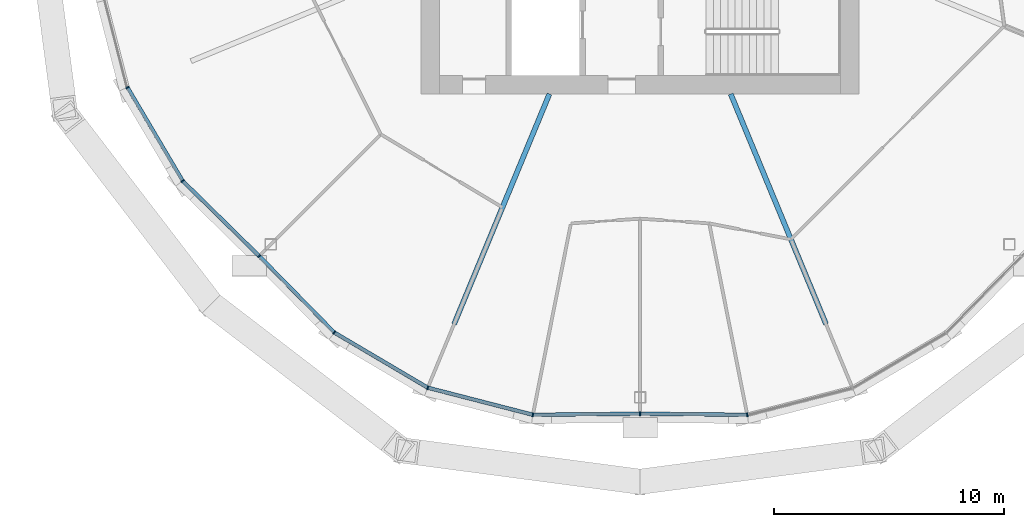
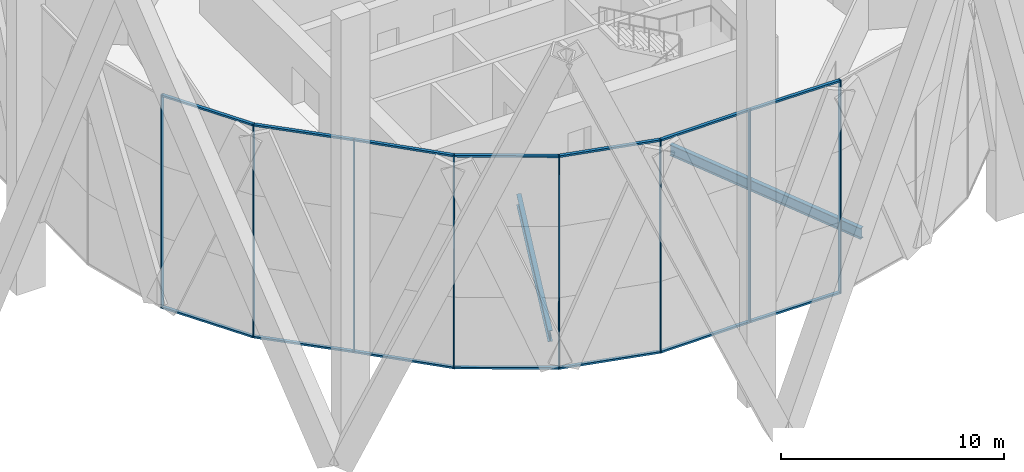
# One storey, part 3 of 26: 22 members, 2 beams, 3 elements without a shape of their own.
"""IFC4 building model written with IfcOpenShell, lengths in metres."""

import ifcopenshell
import ifcopenshell.guid

model = None  # the IFC model being written
_history = None  # IfcOwnerHistory: only IFC2X3 demands one
_inside = {}  # id of a spatial element -> (the spatial element, [elements in it])
_under = {}  # id of a project, library or spatial element -> (it, [spatial elements below it])
_declared = {}  # id of a project -> (the project, [libraries it declares])
_typed = {}  # id of a type object -> (the type object, [elements of that type])
_made_of = {}  # id of a material, layer set ... -> (it, [elements and type objects made of it])


def new_model(schema):
    """Start an empty IFC model of exactly this schema.

    Asked for "IFC4X3", IfcOpenShell would pick the latest addendum, in which some entities
    have other attributes; the version numbers below select the first issue.
    IFC2X3 requires an IfcOwnerHistory on every rooted entity: one is made here for all.
    """
    global model, _history
    if schema == "IFC4X3":
        model = ifcopenshell.file(schema_version=(4, 3, 0, 0))
    else:
        model = ifcopenshell.file(schema=schema)
    _inside.clear()
    _under.clear()
    _declared.clear()
    _typed.clear()
    _made_of.clear()
    _history = None
    if model.schema == "IFC2X3":
        org = make("IfcOrganization", Name="unknown")
        user = make(
            "IfcPersonAndOrganization",
            ThePerson=make("IfcPerson", FamilyName="unknown"),
            TheOrganization=org,
        )
        app = make(
            "IfcApplication",
            ApplicationDeveloper=org,
            Version="unknown",
            ApplicationFullName="unknown",
            ApplicationIdentifier="unknown",
        )
        _history = make(
            "IfcOwnerHistory",
            OwningUser=user,
            OwningApplication=app,
            ChangeAction="ADDED",
            CreationDate=0,
        )
    return model


def make(cls, **values):
    """One entity of the class cls with the attributes given. An attribute that is None is left unset."""
    return model.create_entity(
        cls, **{name: value for name, value in values.items() if value is not None}
    )


def rooted(cls, **values):
    """An entity with a GlobalId (a new one), such as an element, a storey or a relation."""
    return make(cls, GlobalId=ifcopenshell.guid.new(), OwnerHistory=_history, **values)


def si_unit(unit_type, name, prefix=None):
    """IfcSIUnit, for example si_unit("LENGTHUNIT", "METRE", prefix="MILLI")."""
    return make("IfcSIUnit", UnitType=unit_type, Prefix=prefix, Name=name)


def assignment(units):
    """IfcUnitAssignment: the units of a project."""
    return None if units is None else make("IfcUnitAssignment", Units=units)


def point(xyz):
    """IfcCartesianPoint."""
    return None if xyz is None else make("IfcCartesianPoint", Coordinates=xyz)


def direction(xyz):
    """IfcDirection."""
    return None if xyz is None else make("IfcDirection", DirectionRatios=xyz)


def frame(location, z_axis=None, x_axis=None):
    """IfcAxis2Placement3D, a coordinate frame: its origin and axes. An axis left out is left unset."""
    return make(
        "IfcAxis2Placement3D",
        Location=point(location),
        Axis=direction(z_axis),
        RefDirection=direction(x_axis),
    )


def frame_2d(location, x_axis=None):
    """IfcAxis2Placement2D, a coordinate frame in the plane: its origin and x axis."""
    return make(
        "IfcAxis2Placement2D", Location=point(location), RefDirection=direction(x_axis)
    )


def origin():
    """The frame at (0, 0, 0) with its axes left unset."""
    return frame((0.0, 0.0, 0.0))


def origin_2d():
    """The frame at (0, 0) in the plane with its x axis left unset."""
    return frame_2d((0.0, 0.0))


def place(relative_to, where):
    """IfcLocalPlacement: puts the frame where relative to a parent placement (None: the world)."""
    return make(
        "IfcLocalPlacement", PlacementRelTo=relative_to, RelativePlacement=where
    )


def context(
    kind, dimensions, precision=None, world=None, true_north=None, identifier=None
):
    """IfcGeometricRepresentationContext, for example the 3D "Model" context."""
    return make(
        "IfcGeometricRepresentationContext",
        ContextIdentifier=identifier,
        ContextType=kind,
        CoordinateSpaceDimension=dimensions,
        Precision=precision,
        WorldCoordinateSystem=world,
        TrueNorth=true_north,
    )


def subcontext(parent, identifier, kind, view, scale=None):
    """IfcGeometricRepresentationSubContext, for example "Body" below "Model"."""
    return make(
        "IfcGeometricRepresentationSubContext",
        ContextIdentifier=identifier,
        ContextType=kind,
        ParentContext=parent,
        TargetScale=scale,
        TargetView=view,
    )


def project(units=None, contexts=None):
    """IfcProject with its units and contexts."""
    return rooted(
        "IfcProject",
        Name="project",
        RepresentationContexts=contexts,
        UnitsInContext=assignment(units),
    )


def spatial(cls, under=None, at=None, **own):
    """A site, building, storey or space (cls), placed at a placement, below another one or the project."""
    s = rooted(cls, ObjectPlacement=at, **own)
    if under is not None:
        _under.setdefault(under.id(), (under, []))[1].append(s)
    return s


def profile(cls, at=None, kind="AREA", **sizes):
    """A parametric profile (cls). Its sizes go by their IFC names, for example OverallWidth=200.0."""
    return make(cls, ProfileType=kind, Position=at, **sizes)


def rectangle(**sizes):
    """IfcRectangleProfileDef."""
    return profile("IfcRectangleProfileDef", **sizes)


def i_section(**sizes):
    """IfcIShapeProfileDef."""
    return profile("IfcIShapeProfileDef", **sizes)


def extrude(swept, where, along, depth):
    """IfcExtrudedAreaSolid: the profile swept, set in the frame where, extruded along a direction by depth."""
    return make(
        "IfcExtrudedAreaSolid",
        SweptArea=swept,
        Position=where,
        ExtrudedDirection=direction(along),
        Depth=depth,
    )


def shape(context_of_items, identifier, shape_type, items):
    """IfcShapeRepresentation: the items that make up one representation, for example the "Body"."""
    return make(
        "IfcShapeRepresentation",
        ContextOfItems=context_of_items,
        RepresentationIdentifier=identifier,
        RepresentationType=shape_type,
        Items=items,
    )


def material(Name=None, Category=None):
    """IfcMaterial."""
    return make("IfcMaterial", Name=Name, Category=Category)


def material_profile(
    of_material, cross_section, Name=None, Category=None, Priority=None
):
    """IfcMaterialProfile: a cross section and its material."""
    return make(
        "IfcMaterialProfile",
        Name=Name,
        Material=of_material,
        Profile=cross_section,
        Priority=Priority,
        Category=Category,
    )


def profile_set(profiles, Name=None, composite=None):
    """IfcMaterialProfileSet."""
    return make(
        "IfcMaterialProfileSet",
        Name=Name,
        MaterialProfiles=profiles,
        CompositeProfile=composite,
    )


def made_of(thing, what):
    """Note that an element or type object is made of a material, layer set ...; save() writes the relation."""
    if what is not None:
        _made_of.setdefault(what.id(), (what, []))[1].append(thing)
    return thing


def type_object(cls, material=None, **own):
    """A type object (cls), such as IfcWallType, which elements share."""
    return made_of(rooted(cls, **own), material)


def element(
    cls,
    number,
    at=None,
    inside=None,
    cuts=None,
    type_object=None,
    material=None,
    context=None,
    identifier="Body",
    shape_type=None,
    held_by="IfcProductDefinitionShape",
    body=None,
    shapes=None,
    **own,
):
    """One element of the class cls, such as IfcWall. Its Tag is "e" and its number.

    at: its placement. inside: the storey or other place that contains it. cuts: it is an
    opening in that element (IfcRelVoidsElement). A single representation is given by context,
    identifier, shape_type and body (its items); several are given by shapes. held_by: the class
    of the entity that holds the representations. save() writes the other relations.
    """
    e = rooted(cls, Tag="e%d" % number, ObjectPlacement=at, **own)
    if body is not None:
        shapes = [shape(context, identifier, shape_type, body)]
    if shapes is not None:
        e.Representation = make(held_by, Representations=shapes)
    if inside is not None:
        _inside.setdefault(inside.id(), (inside, []))[1].append(e)
    if cuts is not None:
        rooted(
            "IfcRelVoidsElement", RelatingBuildingElement=cuts, RelatedOpeningElement=e
        )
    if type_object is not None:
        _typed.setdefault(type_object.id(), (type_object, []))[1].append(e)
    return made_of(e, material)


def aggregate(whole, parts):
    """IfcRelAggregates: a whole, such as a stair, and the parts it consists of."""
    return rooted("IfcRelAggregates", RelatingObject=whole, RelatedObjects=parts)


def save(model, path):
    """Write the relations noted so far, then the file.

    IfcRelAggregates (storeys below a building ...), IfcRelContainedInSpatialStructure (elements
    in a storey), IfcRelDefinesByType, IfcRelAssociatesMaterial and IfcRelDeclares: one each for
    every whole, place, type object, material and project.
    """
    for whole, parts in _under.values():
        aggregate(whole, parts)
    for where, things in _inside.values():
        rooted(
            "IfcRelContainedInSpatialStructure",
            RelatedElements=things,
            RelatingStructure=where,
        )
    for kind, things in _typed.values():
        rooted("IfcRelDefinesByType", RelatedObjects=things, RelatingType=kind)
    for what, things in _made_of.values():
        rooted("IfcRelAssociatesMaterial", RelatedObjects=things, RelatingMaterial=what)
    for by, libraries in _declared.values():
        rooted("IfcRelDeclares", RelatingContext=by, RelatedDefinitions=libraries)
    model.write(path)


model = new_model("IFC4")

# Units and contexts
model_context = context("Model", 3, precision=1e-05, world=origin(), true_north=direction((0.0, 1.0)))
body_context = subcontext(model_context, "Body", "Model", "MODEL_VIEW")
ifc_project = project(units=[si_unit("LENGTHUNIT", "METRE"), si_unit("AREAUNIT", "SQUARE_METRE"), si_unit("VOLUMEUNIT", "CUBIC_METRE"), si_unit("PLANEANGLEUNIT", "RADIAN"), si_unit("MASSUNIT", "GRAM", prefix="KILO")], contexts=[model_context])

# Site, building, storey
site_placement = place(None, origin())
site = spatial("IfcSite", under=ifc_project, at=site_placement, CompositionType="ELEMENT")
building_placement = place(site_placement, origin())
building = spatial("IfcBuilding", under=site, at=building_placement, Name="Ogive Gate Towers", CompositionType="ELEMENT")
storey_placement = place(building_placement, frame((0.0, 0.0, 76.199951171875)))
storey = spatial("IfcBuildingStorey", under=building, at=storey_placement, Name="L17", CompositionType="ELEMENT", Elevation=76.199951171875)

# Beams
ifc_material_1 = material(Name="Steel SM355", Category="steel")
ifc_material_profile_1 = material_profile(ifc_material_1, i_section(OverallWidth=0.219970703125, OverallDepth=0.60009765625, WebThickness=0.011962890625, FlangeThickness=0.01904296875, FilletRadius=0.02392578125, at=origin_2d()), Name="IPE 600")
ifc_profile_set_1 = profile_set([ifc_material_profile_1], Name="Steel SM355")
beam_type = type_object("IfcBeamType", Name="Radial floor beam IPE 600", PredefinedType="BEAM", material=ifc_profile_set_1)
for number, where, z_axis, x_axis, name in (
    (1, (-39.93505859375, -9.5, -0.599853515625), (-0.382675609774, -0.923882772696, 0.0), (0.923882772696, -0.382675609774, 0.0), "T1/L17/SBM001"),
    (2, (-32.06494140625, -9.5, -0.599853515625), (0.382675609774, -0.923882772696, 0.0), (0.923882772696, 0.382675609774, 0.0), "T1/L17/SBM002"),
):
    element("IfcBeam", number, at=place(storey_placement, frame(where, z_axis=z_axis, x_axis=x_axis)), inside=storey, type_object=beam_type, Name=name, PredefinedType="BEAM", context=body_context, shape_type="SweptSolid", body=[
        extrude(i_section(OverallWidth=0.219970703125, OverallDepth=0.60009765625, WebThickness=0.011962890625, FlangeThickness=0.01904296875, FilletRadius=0.02392578125, at=origin_2d()), origin(), (0.0, 0.0, 1.0), 10.809326171875),
    ])

# Curtain wall, members
ifc_material_2 = material(Name="Pale metal aluminium", Category="aluminium")
curtain_wall_type = type_object("IfcCurtainWallType", Name="Tower unitised wall, low zone", PredefinedType="NOTDEFINED", material=ifc_material_2)
curtain_wall_1_placement = place(storey_placement, origin())
curtain_wall_1 = element("IfcCurtainWall", 3, at=curtain_wall_1_placement, inside=storey, type_object=curtain_wall_type, Name="CW1 T1 ECW05", PredefinedType="NOTDEFINED")
ifc_material_profile_2 = material_profile(ifc_material_2, rectangle(XDim=0.159912109375, YDim=0.06005859375, at=origin_2d()), Name="60 x 160 aluminium box")
ifc_profile_set_2 = profile_set([ifc_material_profile_2], Name="Pale metal aluminium")
member_type_1 = type_object("IfcMemberType", Name="Tower unitised wall, low zone mullion 60 x 160", PredefinedType="MULLION", material=ifc_profile_set_2)
member_1_placement = place(storey_placement, frame((-58.247802734375, -9.21533203125, -0.300048828125), z_axis=(0.0, 0.0, 1.0), x_axis=(-0.923879532511, -0.382683432365, 0.0)))
member_1 = element("IfcMember", 4, at=member_1_placement, type_object=member_type_1, Name="CW1 mullion", PredefinedType="MULLION", context=body_context, shape_type="SweptSolid", body=[
    extrude(rectangle(XDim=0.159912109375, YDim=0.06005859375, at=origin_2d()), origin(), (0.0, 0.0, 1.0), 11.7001953125),
])
member_2_placement = place(storey_placement, frame((-55.8525390625, -13.2724609375, -0.300048828125), z_axis=(0.0, 0.0, 1.0), x_axis=(-0.787559238498, -0.616238951915, 0.0)))
member_2 = element("IfcMember", 5, at=member_2_placement, type_object=member_type_1, Name="CW1 mullion", PredefinedType="MULLION", context=body_context, shape_type="SweptSolid", body=[
    extrude(rectangle(XDim=0.159912109375, YDim=0.06005859375, at=origin_2d()), origin(), (0.0, 0.0, 1.0), 11.7001953125),
])
member_3_placement = place(storey_placement, frame((-52.5322265625, -16.531982421875, -0.300048828125), z_axis=(0.0, 0.0, 1.0), x_axis=(-0.700585529358, -0.713568438241, 0.0)))
member_3 = element("IfcMember", 6, at=member_3_placement, type_object=member_type_1, Name="CW1 mullion", PredefinedType="MULLION", context=body_context, shape_type="SweptSolid", body=[
    extrude(rectangle(XDim=0.159912109375, YDim=0.06005859375, at=origin_2d()), origin(), (0.0, 0.0, 1.0), 11.7001953125),
])

curtain_wall_2_placement = place(storey_placement, origin())
curtain_wall_2 = element("IfcCurtainWall", 7, at=curtain_wall_2_placement, inside=storey, type_object=curtain_wall_type, Name="CW1 T1 ECW06", PredefinedType="NOTDEFINED")
member_4_placement = place(storey_placement, frame((-49.2724609375, -19.8525390625, -0.300048828125), z_axis=(0.0, 0.0, 1.0), x_axis=(-0.616238951915, -0.787559238498, 0.0)))
member_4 = element("IfcMember", 8, at=member_4_placement, type_object=member_type_1, Name="CW1 mullion", PredefinedType="MULLION", context=body_context, shape_type="SweptSolid", body=[
    extrude(rectangle(XDim=0.159912109375, YDim=0.06005859375, at=origin_2d()), origin(), (0.0, 0.0, 1.0), 11.7001953125),
])
member_5_placement = place(storey_placement, frame((-45.21533203125, -22.247802734375, -0.300048828125), z_axis=(0.0, 0.0, 1.0), x_axis=(-0.382683432365, -0.923879532511, 0.0)))
member_5 = element("IfcMember", 9, at=member_5_placement, type_object=member_type_1, Name="CW1 mullion", PredefinedType="MULLION", context=body_context, shape_type="SweptSolid", body=[
    extrude(rectangle(XDim=0.159912109375, YDim=0.06005859375, at=origin_2d()), origin(), (0.0, 0.0, 1.0), 11.7001953125),
])
member_6_placement = place(storey_placement, frame((-40.653076171875, -23.4228515625, -0.300048828125), z_axis=(0.0, 0.0, 1.0), x_axis=(-0.121141736398, -0.992635219858, 0.0)))
member_6 = element("IfcMember", 10, at=member_6_placement, type_object=member_type_1, Name="CW1 mullion", PredefinedType="MULLION", context=body_context, shape_type="SweptSolid", body=[
    extrude(rectangle(XDim=0.159912109375, YDim=0.06005859375, at=origin_2d()), origin(), (0.0, 0.0, 1.0), 11.7001953125),
])
member_7_placement = place(storey_placement, frame((-36.000244140625, -23.3798828125, -0.300048828125), z_axis=(0.0, 0.0, 1.0), x_axis=(0.009197755467, -0.999957699753, 0.0)))
member_7 = element("IfcMember", 11, at=member_7_placement, type_object=member_type_1, Name="CW1 mullion", PredefinedType="MULLION", context=body_context, shape_type="SweptSolid", body=[
    extrude(rectangle(XDim=0.159912109375, YDim=0.06005859375, at=origin_2d()), origin(), (0.0, 0.0, 1.0), 11.7001953125),
])

# Curtain wall, member
curtain_wall_3_placement = place(storey_placement, origin())
curtain_wall_3 = element("IfcCurtainWall", 12, at=curtain_wall_3_placement, inside=storey, type_object=curtain_wall_type, Name="CW1 T1 ECW07", PredefinedType="NOTDEFINED")
member_8_placement = place(storey_placement, frame((-31.346923828125, -23.4228515625, -0.300048828125), z_axis=(0.0, 0.0, 1.0), x_axis=(0.121141736398, -0.992635219858, 0.0)))
member_8 = element("IfcMember", 13, at=member_8_placement, type_object=member_type_1, Name="CW1 mullion", PredefinedType="MULLION", context=body_context, shape_type="SweptSolid", body=[
    extrude(rectangle(XDim=0.159912109375, YDim=0.06005859375, at=origin_2d()), origin(), (0.0, 0.0, 1.0), 11.7001953125),
])

# Member
ifc_material_profile_3 = material_profile(ifc_material_2, rectangle(XDim=0.159912109375, YDim=0.10009765625, at=origin_2d()), Name="100 x 160 aluminium box")
ifc_profile_set_3 = profile_set([ifc_material_profile_3], Name="Pale metal aluminium")
member_type_2 = type_object("IfcMemberType", Name="Tower unitised wall, low zone transom 100 x 160", PredefinedType="USERDEFINED", material=ifc_profile_set_3)
member_9_placement = place(storey_placement, frame((-58.23388671875, -9.23876953125, 11.35009765625), z_axis=(0.508391904902, -0.861125816028, 0.0), x_axis=(0.861125816028, 0.508391904902, 0.0)))
member_9 = element("IfcMember", 14, at=member_9_placement, type_object=member_type_2, Name="CW1 transom", ObjectType="TRANSOM", PredefinedType="USERDEFINED", context=body_context, shape_type="SweptSolid", body=[
    extrude(rectangle(XDim=0.159912109375, YDim=0.10009765625, at=origin_2d()), origin(), (0.0, 0.0, 1.0), 4.65673828125),
])

member_10_placement = place(storey_placement, frame((-58.23388671875, -9.23876953125, -0.25), z_axis=(0.508391904902, -0.861125816028, 0.0), x_axis=(0.861125816028, 0.508391904902, 0.0)))
member_10 = element("IfcMember", 15, at=member_10_placement, type_object=member_type_2, Name="CW1 transom", ObjectType="TRANSOM", PredefinedType="USERDEFINED", context=body_context, shape_type="SweptSolid", body=[
    extrude(rectangle(XDim=0.159912109375, YDim=0.10009765625, at=origin_2d()), origin(), (0.0, 0.0, 1.0), 4.65673828125),
])

member_11_placement = place(storey_placement, frame((-55.8330078125, -13.29150390625, 11.35009765625), z_axis=(0.713584733888, -0.700568931342, 0.0), x_axis=(0.700568931342, 0.713584733888, 0.0)))
member_11 = element("IfcMember", 16, at=member_11_placement, type_object=member_type_2, Name="CW1 transom", ObjectType="TRANSOM", PredefinedType="USERDEFINED", context=body_context, shape_type="SweptSolid", body=[
    extrude(rectangle(XDim=0.159912109375, YDim=0.10009765625, at=origin_2d()), origin(), (0.0, 0.0, 1.0), 4.595458984375),
])

member_12_placement = place(storey_placement, frame((-55.8330078125, -13.29150390625, -0.25), z_axis=(0.713584733888, -0.700568931342, 0.0), x_axis=(0.700568931342, 0.713584733888, 0.0)))
member_12 = element("IfcMember", 17, at=member_12_placement, type_object=member_type_2, Name="CW1 transom", ObjectType="TRANSOM", PredefinedType="USERDEFINED", context=body_context, shape_type="SweptSolid", body=[
    extrude(rectangle(XDim=0.159912109375, YDim=0.10009765625, at=origin_2d()), origin(), (0.0, 0.0, 1.0), 4.595458984375),
])

aggregate(curtain_wall_1, [member_1, member_2, member_9, member_10, member_3, member_11, member_12])

member_13_placement = place(storey_placement, frame((-52.510986328125, -16.5537109375, 11.35009765625), z_axis=(0.700568931342, -0.713584733888, 0.0), x_axis=(0.713584733888, 0.700568931342, 0.0)))
member_13 = element("IfcMember", 18, at=member_13_placement, type_object=member_type_2, Name="CW1 transom", ObjectType="TRANSOM", PredefinedType="USERDEFINED", context=body_context, shape_type="SweptSolid", body=[
    extrude(rectangle(XDim=0.159912109375, YDim=0.10009765625, at=origin_2d()), origin(), (0.0, 0.0, 1.0), 4.595458984375),
])

member_14_placement = place(storey_placement, frame((-52.510986328125, -16.5537109375, -0.25), z_axis=(0.700568931342, -0.713584733888, 0.0), x_axis=(0.713584733888, 0.700568931342, 0.0)))
member_14 = element("IfcMember", 19, at=member_14_placement, type_object=member_type_2, Name="CW1 transom", ObjectType="TRANSOM", PredefinedType="USERDEFINED", context=body_context, shape_type="SweptSolid", body=[
    extrude(rectangle(XDim=0.159912109375, YDim=0.10009765625, at=origin_2d()), origin(), (0.0, 0.0, 1.0), 4.595458984375),
])

member_15_placement = place(storey_placement, frame((-49.248779296875, -19.866455078125, 11.35009765625), z_axis=(0.861125816028, -0.508391904902, 0.0), x_axis=(0.508391904902, 0.861125816028, 0.0)))
member_15 = element("IfcMember", 20, at=member_15_placement, type_object=member_type_2, Name="CW1 transom", ObjectType="TRANSOM", PredefinedType="USERDEFINED", context=body_context, shape_type="SweptSolid", body=[
    extrude(rectangle(XDim=0.159912109375, YDim=0.10009765625, at=origin_2d()), origin(), (0.0, 0.0, 1.0), 4.65673828125),
])

member_16_placement = place(storey_placement, frame((-49.248779296875, -19.866455078125, -0.25), z_axis=(0.861125816028, -0.508391904902, 0.0), x_axis=(0.508391904902, 0.861125816028, 0.0)))
member_16 = element("IfcMember", 21, at=member_16_placement, type_object=member_type_2, Name="CW1 transom", ObjectType="TRANSOM", PredefinedType="USERDEFINED", context=body_context, shape_type="SweptSolid", body=[
    extrude(rectangle(XDim=0.159912109375, YDim=0.10009765625, at=origin_2d()), origin(), (0.0, 0.0, 1.0), 4.65673828125),
])

member_17_placement = place(storey_placement, frame((-45.189208984375, -22.25439453125, 11.35009765625), z_axis=(0.968390972422, -0.249437215612, 0.0), x_axis=(0.249437215612, 0.968390972422, 0.0)))
member_17 = element("IfcMember", 22, at=member_17_placement, type_object=member_type_2, Name="CW1 transom", ObjectType="TRANSOM", PredefinedType="USERDEFINED", context=body_context, shape_type="SweptSolid", body=[
    extrude(rectangle(XDim=0.159912109375, YDim=0.10009765625, at=origin_2d()), origin(), (0.0, 0.0, 1.0), 4.656982421875),
])

member_18_placement = place(storey_placement, frame((-45.189208984375, -22.25439453125, -0.25), z_axis=(0.968390972422, -0.249437215612, 0.0), x_axis=(0.249437215612, 0.968390972422, 0.0)))
member_18 = element("IfcMember", 23, at=member_18_placement, type_object=member_type_2, Name="CW1 transom", ObjectType="TRANSOM", PredefinedType="USERDEFINED", context=body_context, shape_type="SweptSolid", body=[
    extrude(rectangle(XDim=0.159912109375, YDim=0.10009765625, at=origin_2d()), origin(), (0.0, 0.0, 1.0), 4.656982421875),
])

member_19_placement = place(storey_placement, frame((-40.62548828125, -23.422607421875, 11.35009765625), z_axis=(0.999957762018, 0.009190983574, 0.0), x_axis=(-0.009190983574, 0.999957762018, 0.0)))
member_19 = element("IfcMember", 24, at=member_19_placement, type_object=member_type_2, Name="CW1 transom", ObjectType="TRANSOM", PredefinedType="USERDEFINED", context=body_context, shape_type="SweptSolid", body=[
    extrude(rectangle(XDim=0.159912109375, YDim=0.10009765625, at=origin_2d()), origin(), (0.0, 0.0, 1.0), 4.595458984375),
])

member_20_placement = place(storey_placement, frame((-40.62548828125, -23.422607421875, -0.25), z_axis=(0.999957762018, 0.009190983574, 0.0), x_axis=(-0.009190983574, 0.999957762018, 0.0)))
member_20 = element("IfcMember", 25, at=member_20_placement, type_object=member_type_2, Name="CW1 transom", ObjectType="TRANSOM", PredefinedType="USERDEFINED", context=body_context, shape_type="SweptSolid", body=[
    extrude(rectangle(XDim=0.159912109375, YDim=0.10009765625, at=origin_2d()), origin(), (0.0, 0.0, 1.0), 4.595458984375),
])

aggregate(curtain_wall_2, [member_4, member_13, member_14, member_5, member_15, member_16, member_6, member_17, member_18, member_7, member_19, member_20])

member_21_placement = place(storey_placement, frame((-35.9697265625, -23.38037109375, 11.35009765625), z_axis=(0.999957762018, -0.009190983574, 0.0), x_axis=(0.009190983574, 0.999957762018, 0.0)))
member_21 = element("IfcMember", 26, at=member_21_placement, type_object=member_type_2, Name="CW1 transom", ObjectType="TRANSOM", PredefinedType="USERDEFINED", context=body_context, shape_type="SweptSolid", body=[
    extrude(rectangle(XDim=0.159912109375, YDim=0.10009765625, at=origin_2d()), origin(), (0.0, 0.0, 1.0), 4.595458984375),
])

member_22_placement = place(storey_placement, frame((-35.9697265625, -23.38037109375, -0.25), z_axis=(0.999957762018, -0.009190983574, 0.0), x_axis=(0.009190983574, 0.999957762018, 0.0)))
member_22 = element("IfcMember", 27, at=member_22_placement, type_object=member_type_2, Name="CW1 transom", ObjectType="TRANSOM", PredefinedType="USERDEFINED", context=body_context, shape_type="SweptSolid", body=[
    extrude(rectangle(XDim=0.159912109375, YDim=0.10009765625, at=origin_2d()), origin(), (0.0, 0.0, 1.0), 4.595458984375),
])

aggregate(curtain_wall_3, [member_8, member_21, member_22])

save(model, "model.ifc")
